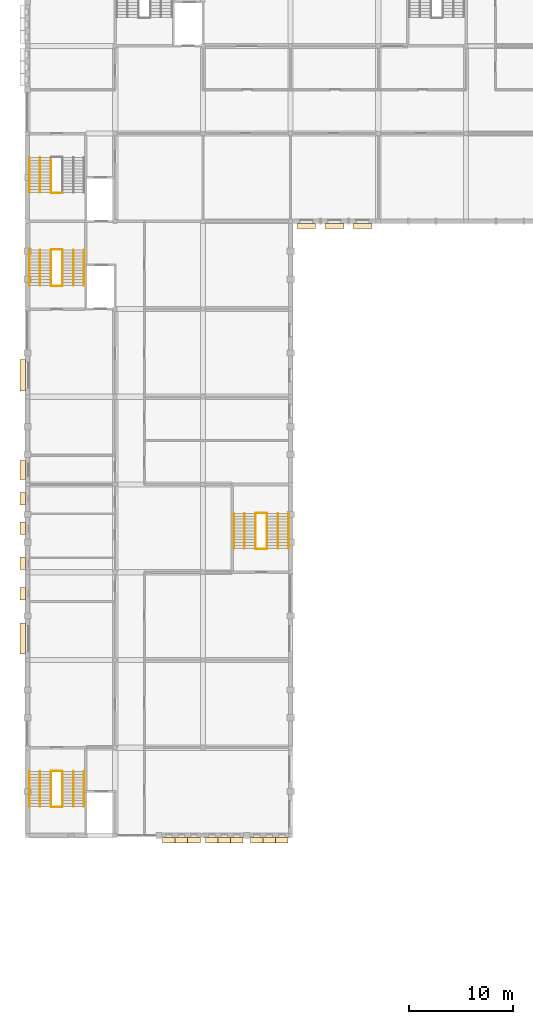
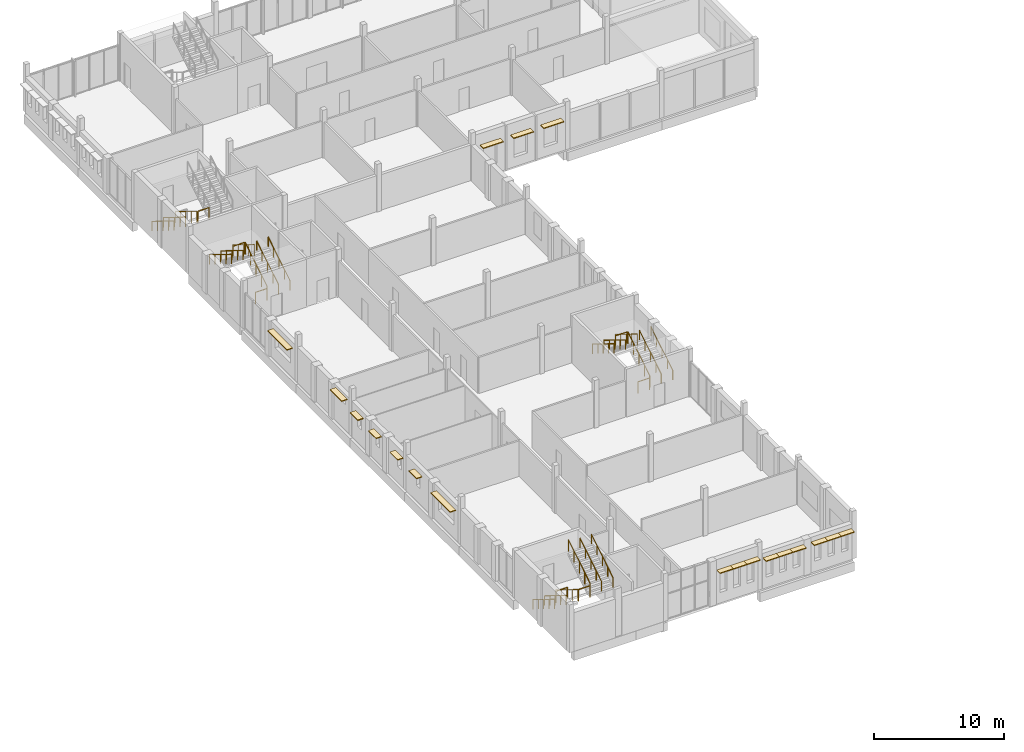
# One storey, part 21 of 22: 28 railings, 19 coverings.
"""IFC4 building model written with IfcOpenShell, lengths in metres."""

from ifc_helpers import new_model, si_unit, direction, frame, origin, origin_2d, place, context, subcontext, project, spatial, rectangle, circle, extrude, material, layer, layer_set, type_object, element, save


model = new_model("IFC4")

# Units and contexts
model_context = context("Model", 3, precision=1e-05, world=origin(), true_north=direction((0.0, 1.0)))
body_context = subcontext(model_context, "Body", "Model", "MODEL_VIEW")
ifc_project = project(units=[si_unit("LENGTHUNIT", "METRE"), si_unit("AREAUNIT", "SQUARE_METRE"), si_unit("VOLUMEUNIT", "CUBIC_METRE"), si_unit("PLANEANGLEUNIT", "RADIAN"), si_unit("MASSUNIT", "GRAM", prefix="KILO")], contexts=[model_context])

# Site, building, storey
site_placement = place(None, origin())
site = spatial("IfcSite", under=ifc_project, at=site_placement, CompositionType="ELEMENT")
building_placement = place(site_placement, origin())
building = spatial("IfcBuilding", under=site, at=building_placement, Name="Fescue Hill Polytechnic", CompositionType="ELEMENT")
storey_placement = place(building_placement, frame((0.0, 0.0, 27.0)))
storey = spatial("IfcBuildingStorey", under=building, at=storey_placement, Name="L06", CompositionType="ELEMENT", Elevation=27.0)

# Coverings
ifc_material_1 = material(Name="Precast concrete C40/50", Category="concrete")
ifc_layer = layer(ifc_material_1, 0.080078125)
ifc_layer_set = layer_set([ifc_layer], Name="Precast concrete C40/50")
covering_type = type_object("IfcCoveringType", Name="Shade blade precast 500x80", PredefinedType="CLADDING", material=ifc_layer_set)
covering_1_placement = place(storey_placement, frame((-0.43994140625, 94.449951171875, 2.75), z_axis=(0.0, 0.0, 1.0), x_axis=(0.0, -1.0, 0.0)))
element("IfcCovering", 1, at=covering_1_placement, inside=storey, type_object=covering_type, Name="SB-L06-V4-1", PredefinedType="CLADDING", context=body_context, shape_type="SweptSolid", body=[
    extrude(rectangle(XDim=3.0, YDim=0.5, at=origin_2d()), origin(), (0.0, 0.0, 1.0), 0.080078125),
])
covering_2_placement = place(storey_placement, frame((-0.43994140625, 85.38330078125, 3.050048828125), z_axis=(0.0, 0.0, 1.0), x_axis=(0.0, -1.0, 0.0)))
element("IfcCovering", 2, at=covering_2_placement, inside=storey, type_object=covering_type, Name="SB-L06-V4-2", PredefinedType="CLADDING", context=body_context, shape_type="SweptSolid", body=[
    extrude(rectangle(XDim=1.800048828125, YDim=0.5, at=origin_2d()), origin(), (0.0, 0.0, 1.0), 0.080078125),
])
for number, where, z_axis, x_axis, name in (
    (3, (-0.43994140625, 82.61669921875, 2.75), (0.0, 0.0, 1.0), (0.0, -1.0, 0.0), "SB-L06-V4-3"),
    (4, (-0.43994140625, 79.800048828125, 2.75), (0.0, 0.0, 1.0), (0.0, -1.0, 0.0), "SB-L06-V4-4"),
    (5, (-0.43994140625, 76.449951171875, 2.75), (0.0, 0.0, 1.0), (0.0, -1.0, 0.0), "SB-L06-V4-5"),
    (6, (-0.43994140625, 73.550048828125, 2.75), (0.0, 0.0, 1.0), (0.0, -1.0, 0.0), "SB-L06-V4-6"),
):
    element("IfcCovering", number, at=place(storey_placement, frame(where, z_axis=z_axis, x_axis=x_axis)), inside=storey, type_object=covering_type, Name=name, PredefinedType="CLADDING", context=body_context, shape_type="SweptSolid", body=[
        extrude(rectangle(XDim=1.199951171875, YDim=0.5, at=origin_2d()), origin(), (0.0, 0.0, 1.0), 0.080078125),
    ])
covering_3_placement = place(storey_placement, frame((-0.43994140625, 69.25, 2.75), z_axis=(0.0, 0.0, 1.0), x_axis=(0.0, -1.0, 0.0)))
element("IfcCovering", 7, at=covering_3_placement, inside=storey, type_object=covering_type, Name="SB-L06-V4-7", PredefinedType="CLADDING", context=body_context, shape_type="SweptSolid", body=[
    extrude(rectangle(XDim=3.0, YDim=0.5, at=origin_2d()), origin(), (0.0, 0.0, 1.0), 0.080078125),
])
for number, where, z_axis, x_axis, name in (
    (8, (13.550048828125, 49.93994140625, 3.14990234375), (0.0, 0.0, 1.0), (1.0, 0.0, 0.0), "SB-L06-V4-8"),
    (9, (14.75, 49.93994140625, 3.14990234375), (0.0, 0.0, 1.0), (1.0, 0.0, 0.0), "SB-L06-V4-9"),
    (10, (15.949951171875, 49.93994140625, 3.14990234375), (0.0, 0.0, 1.0), (1.0, 0.0, 0.0), "SB-L06-V4-10"),
    (11, (17.64990234375, 49.93994140625, 2.849853515625), (0.0, 0.0, 1.0), (1.0, 0.0, 0.0), "SB-L06-V4-11"),
    (12, (18.85009765625, 49.93994140625, 2.849853515625), (0.0, 0.0, 1.0), (1.0, 0.0, 0.0), "SB-L06-V4-12"),
    (13, (20.050048828125, 49.93994140625, 2.849853515625), (0.0, 0.0, 1.0), (1.0, 0.0, 0.0), "SB-L06-V4-13"),
    (14, (21.949951171875, 49.93994140625, 2.849853515625), (0.0, 0.0, 1.0), (1.0, 0.0, 0.0), "SB-L06-V4-14"),
    (15, (23.14990234375, 49.93994140625, 2.849853515625), (0.0, 0.0, 1.0), (1.0, 0.0, 0.0), "SB-L06-V4-15"),
    (16, (24.35009765625, 49.93994140625, 2.849853515625), (0.0, 0.0, 1.0), (1.0, 0.0, 0.0), "SB-L06-V4-16"),
):
    element("IfcCovering", number, at=place(storey_placement, frame(where, z_axis=z_axis, x_axis=x_axis)), inside=storey, type_object=covering_type, Name=name, PredefinedType="CLADDING", context=body_context, shape_type="SweptSolid", body=[
        extrude(rectangle(XDim=1.199951171875, YDim=0.5, at=origin_2d()), origin(), (0.0, 0.0, 1.0), 0.080078125),
    ])
for number, where, z_axis, x_axis, name in (
    (17, (26.703369140625, 108.75, 3.050048828125), (0.0, 0.0, 1.0), (1.0, 0.0, 0.0), "SB-L06-V5-10"),
    (18, (29.39990234375, 108.75, 3.050048828125), (0.0, 0.0, 1.0), (1.0, 0.0, 0.0), "SB-L06-V5-11"),
    (19, (32.0966796875, 108.75, 3.050048828125), (0.0, 0.0, 1.0), (1.0, 0.0, 0.0), "SB-L06-V5-12"),
):
    element("IfcCovering", number, at=place(storey_placement, frame(where, z_axis=z_axis, x_axis=x_axis)), inside=storey, type_object=covering_type, Name=name, PredefinedType="CLADDING", context=body_context, shape_type="SweptSolid", body=[
        extrude(rectangle(XDim=1.800048828125, YDim=0.5, at=origin_2d()), origin(), (0.0, 0.0, 1.0), 0.080078125),
    ])

# Railings
ifc_material_2 = material(Name="Steel 350W (350 MPa)", Category="steel")
railing_type_1 = type_object("IfcRailingType", Name="Stair guard steel 1100", PredefinedType="GUARDRAIL", material=ifc_material_2)
railing_1_placement = place(storey_placement, frame((2.25, 56.52490234375, 0.173095703125)))
element("IfcRailing", 20, at=railing_1_placement, inside=storey, type_object=railing_type_1, Name="L06 ST-V4-1 stair guard 1", PredefinedType="GUARDRAIL", context=body_context, shape_type="SweptSolid", body=[
    extrude(circle(Radius=0.02392578125, at=origin_2d()), frame((0.0, 0.0, 1.076171875), z_axis=(0.0, -0.850606129759, 0.525803396734), x_axis=(1.0, 0.0, 0.0)), (0.0, 0.0, 1.0), 3.949951171875),
    extrude(circle(Radius=0.02099609375, at=origin_2d()), origin(), (0.0, 0.0, 1.0), 1.052001953125),
    extrude(circle(Radius=0.02099609375, at=origin_2d()), frame((0.0, -0.83984375, 0.519287109375)), (0.0, 0.0, 1.0), 1.052001953125),
    extrude(circle(Radius=0.02099609375, at=origin_2d()), frame((0.0, -1.679931640625, 1.03857421875)), (0.0, 0.0, 1.0), 1.052001953125),
    extrude(circle(Radius=0.02099609375, at=origin_2d()), frame((0.0, -2.52001953125, 1.5576171875)), (0.0, 0.0, 1.0), 1.052001953125),
    extrude(circle(Radius=0.02099609375, at=origin_2d()), frame((0.0, -3.35986328125, 2.076904296875)), (0.0, 0.0, 1.0), 1.052001953125),
])
railing_2_placement = place(storey_placement, frame((2.300048828125, 53.114990234375, 2.25)))
element("IfcRailing", 21, at=railing_2_placement, inside=storey, type_object=railing_type_1, Name="L06 ST-V4-1 stair guard 2", PredefinedType="GUARDRAIL", context=body_context, shape_type="SweptSolid", body=[
    extrude(circle(Radius=0.02392578125, at=origin_2d()), frame((0.0, 0.0, 1.076171875), z_axis=(1.0, 0.0, 0.0), x_axis=(0.0, 1.0, 0.0)), (0.0, 0.0, 1.0), 1.02490234375),
    extrude(circle(Radius=0.02099609375, at=origin_2d()), origin(), (0.0, 0.0, 1.0), 1.052001953125),
    extrude(circle(Radius=0.02099609375, at=origin_2d()), frame((1.02490234375, 0.0, 0.0)), (0.0, 0.0, 1.0), 1.052001953125),
])
railing_3_placement = place(storey_placement, frame((3.375, 53.1650390625, 2.423095703125)))
element("IfcRailing", 22, at=railing_3_placement, inside=storey, type_object=railing_type_1, Name="L06 ST-V4-1 stair guard 3", PredefinedType="GUARDRAIL", context=body_context, shape_type="SweptSolid", body=[
    extrude(circle(Radius=0.02392578125, at=origin_2d()), frame((0.0, 0.0, 1.076171875), z_axis=(0.0, 0.850606129759, 0.525803396734), x_axis=(-1.0, 0.0, 0.0)), (0.0, 0.0, 1.0), 3.949951171875),
    extrude(circle(Radius=0.02099609375, at=origin_2d()), origin(), (0.0, 0.0, 1.0), 1.052001953125),
    extrude(circle(Radius=0.02099609375, at=origin_2d()), frame((0.0, 0.83984375, 0.519287109375)), (0.0, 0.0, 1.0), 1.052001953125),
    extrude(circle(Radius=0.02099609375, at=origin_2d()), frame((0.0, 1.679931640625, 1.03857421875)), (0.0, 0.0, 1.0), 1.052001953125),
    extrude(circle(Radius=0.02099609375, at=origin_2d()), frame((0.0, 2.52001953125, 1.5576171875)), (0.0, 0.0, 1.0), 1.052001953125),
    extrude(circle(Radius=0.02099609375, at=origin_2d()), frame((0.0, 3.35986328125, 2.076904296875)), (0.0, 0.0, 1.0), 1.052001953125),
])
railing_4_placement = place(storey_placement, frame((2.300048828125, 56.574951171875, 0.0)))
element("IfcRailing", 23, at=railing_4_placement, inside=storey, type_object=railing_type_1, Name="L06 ST-V4-1 stair guard 4", PredefinedType="GUARDRAIL", context=body_context, shape_type="SweptSolid", body=[
    extrude(circle(Radius=0.02392578125, at=origin_2d()), frame((0.0, 0.0, 1.076171875), z_axis=(1.0, 0.0, 0.0), x_axis=(0.0, 1.0, 0.0)), (0.0, 0.0, 1.0), 1.02490234375),
    extrude(circle(Radius=0.02099609375, at=origin_2d()), origin(), (0.0, 0.0, 1.0), 1.052001953125),
    extrude(circle(Radius=0.02099609375, at=origin_2d()), frame((1.02490234375, 0.0, 0.0)), (0.0, 0.0, 1.0), 1.052001953125),
])
railing_5_placement = place(storey_placement, frame((3.375, 103.074951171875, 0.173095703125)))
element("IfcRailing", 24, at=railing_5_placement, inside=storey, type_object=railing_type_1, Name="L06 ST-V4-2 stair guard 1", PredefinedType="GUARDRAIL", context=body_context, shape_type="SweptSolid", body=[
    extrude(circle(Radius=0.02392578125, at=origin_2d()), frame((0.0, 0.0, 1.076171875), z_axis=(0.0, 0.850623216509, 0.525775754039), x_axis=(-1.0, 0.0, 0.0)), (0.0, 0.0, 1.0), 3.9501953125),
    extrude(circle(Radius=0.02099609375, at=origin_2d()), origin(), (0.0, 0.0, 1.0), 1.052001953125),
    extrude(circle(Radius=0.02099609375, at=origin_2d()), frame((0.0, 0.840087890625, 0.519287109375)), (0.0, 0.0, 1.0), 1.052001953125),
    extrude(circle(Radius=0.02099609375, at=origin_2d()), frame((0.0, 1.68017578125, 1.03857421875)), (0.0, 0.0, 1.0), 1.052001953125),
    extrude(circle(Radius=0.02099609375, at=origin_2d()), frame((0.0, 2.52001953125, 1.5576171875)), (0.0, 0.0, 1.0), 1.052001953125),
    extrude(circle(Radius=0.02099609375, at=origin_2d()), frame((0.0, 3.360107421875, 2.076904296875)), (0.0, 0.0, 1.0), 1.052001953125),
])
railing_6_placement = place(storey_placement, frame((3.324951171875, 106.485107421875, 2.25)))
element("IfcRailing", 25, at=railing_6_placement, inside=storey, type_object=railing_type_1, Name="L06 ST-V4-2 stair guard 2", PredefinedType="GUARDRAIL", context=body_context, shape_type="SweptSolid", body=[
    extrude(circle(Radius=0.02392578125, at=origin_2d()), frame((0.0, 0.0, 1.076171875), z_axis=(-1.0, 0.0, 0.0), x_axis=(0.0, -1.0, 0.0)), (0.0, 0.0, 1.0), 1.02490234375),
    extrude(circle(Radius=0.02099609375, at=origin_2d()), origin(), (0.0, 0.0, 1.0), 1.052001953125),
    extrude(circle(Radius=0.02099609375, at=origin_2d()), frame((-1.02490234375, 0.0, 0.0)), (0.0, 0.0, 1.0), 1.052001953125),
])
railing_7_placement = place(storey_placement, frame((2.25, 106.43505859375, 2.423095703125)))
element("IfcRailing", 26, at=railing_7_placement, inside=storey, type_object=railing_type_1, Name="L06 ST-V4-2 stair guard 3", PredefinedType="GUARDRAIL", context=body_context, shape_type="SweptSolid", body=[
    extrude(circle(Radius=0.02392578125, at=origin_2d()), frame((0.0, 0.0, 1.076171875), z_axis=(0.0, -0.850623216509, 0.525775754039), x_axis=(1.0, 0.0, 0.0)), (0.0, 0.0, 1.0), 3.9501953125),
    extrude(circle(Radius=0.02099609375, at=origin_2d()), origin(), (0.0, 0.0, 1.0), 1.052001953125),
    extrude(circle(Radius=0.02099609375, at=origin_2d()), frame((0.0, -0.840087890625, 0.519287109375)), (0.0, 0.0, 1.0), 1.052001953125),
    extrude(circle(Radius=0.02099609375, at=origin_2d()), frame((0.0, -1.68017578125, 1.03857421875)), (0.0, 0.0, 1.0), 1.052001953125),
    extrude(circle(Radius=0.02099609375, at=origin_2d()), frame((0.0, -2.52001953125, 1.5576171875)), (0.0, 0.0, 1.0), 1.052001953125),
    extrude(circle(Radius=0.02099609375, at=origin_2d()), frame((0.0, -3.360107421875, 2.076904296875)), (0.0, 0.0, 1.0), 1.052001953125),
])
railing_8_placement = place(storey_placement, frame((3.324951171875, 103.02490234375, 0.0)))
element("IfcRailing", 27, at=railing_8_placement, inside=storey, type_object=railing_type_1, Name="L06 ST-V4-2 stair guard 4", PredefinedType="GUARDRAIL", context=body_context, shape_type="SweptSolid", body=[
    extrude(circle(Radius=0.02392578125, at=origin_2d()), frame((0.0, 0.0, 1.076171875), z_axis=(-1.0, 0.0, 0.0), x_axis=(0.0, -1.0, 0.0)), (0.0, 0.0, 1.0), 1.02490234375),
    extrude(circle(Radius=0.02099609375, at=origin_2d()), origin(), (0.0, 0.0, 1.0), 1.052001953125),
    extrude(circle(Radius=0.02099609375, at=origin_2d()), frame((-1.02490234375, 0.0, 0.0)), (0.0, 0.0, 1.0), 1.052001953125),
])
railing_9_placement = place(storey_placement, frame((22.949951171875, 77.875, 0.173095703125)))
element("IfcRailing", 28, at=railing_9_placement, inside=storey, type_object=railing_type_1, Name="L06 ST-V4-3 stair guard 1", PredefinedType="GUARDRAIL", context=body_context, shape_type="SweptSolid", body=[
    extrude(circle(Radius=0.02392578125, at=origin_2d()), frame((0.0, 0.0, 1.076171875), z_axis=(0.0, 0.850623216509, 0.525775754039), x_axis=(-1.0, 0.0, 0.0)), (0.0, 0.0, 1.0), 3.9501953125),
    extrude(circle(Radius=0.02099609375, at=origin_2d()), origin(), (0.0, 0.0, 1.0), 1.052001953125),
    extrude(circle(Radius=0.02099609375, at=origin_2d()), frame((0.0, 0.840087890625, 0.519287109375)), (0.0, 0.0, 1.0), 1.052001953125),
    extrude(circle(Radius=0.02099609375, at=origin_2d()), frame((0.0, 1.68017578125, 1.03857421875)), (0.0, 0.0, 1.0), 1.052001953125),
    extrude(circle(Radius=0.02099609375, at=origin_2d()), frame((0.0, 2.52001953125, 1.5576171875)), (0.0, 0.0, 1.0), 1.052001953125),
    extrude(circle(Radius=0.02099609375, at=origin_2d()), frame((0.0, 3.360107421875, 2.076904296875)), (0.0, 0.0, 1.0), 1.052001953125),
])
railing_10_placement = place(storey_placement, frame((22.89990234375, 81.284912109375, 2.25)))
element("IfcRailing", 29, at=railing_10_placement, inside=storey, type_object=railing_type_1, Name="L06 ST-V4-3 stair guard 2", PredefinedType="GUARDRAIL", context=body_context, shape_type="SweptSolid", body=[
    extrude(circle(Radius=0.02392578125, at=origin_2d()), frame((0.0, 0.0, 1.076171875), z_axis=(-1.0, 0.0, 0.0), x_axis=(0.0, -1.0, 0.0)), (0.0, 0.0, 1.0), 1.02490234375),
    extrude(circle(Radius=0.02099609375, at=origin_2d()), origin(), (0.0, 0.0, 1.0), 1.052001953125),
    extrude(circle(Radius=0.02099609375, at=origin_2d()), frame((-1.02490234375, 0.0, 0.0)), (0.0, 0.0, 1.0), 1.052001953125),
])
railing_11_placement = place(storey_placement, frame((21.824951171875, 81.235107421875, 2.423095703125)))
element("IfcRailing", 30, at=railing_11_placement, inside=storey, type_object=railing_type_1, Name="L06 ST-V4-3 stair guard 3", PredefinedType="GUARDRAIL", context=body_context, shape_type="SweptSolid", body=[
    extrude(circle(Radius=0.02392578125, at=origin_2d()), frame((0.0, 0.0, 1.076171875), z_axis=(0.0, -0.850623216509, 0.525775754039), x_axis=(1.0, 0.0, 0.0)), (0.0, 0.0, 1.0), 3.9501953125),
    extrude(circle(Radius=0.02099609375, at=origin_2d()), origin(), (0.0, 0.0, 1.0), 1.052001953125),
    extrude(circle(Radius=0.02099609375, at=origin_2d()), frame((0.0, -0.840087890625, 0.519287109375)), (0.0, 0.0, 1.0), 1.052001953125),
    extrude(circle(Radius=0.02099609375, at=origin_2d()), frame((0.0, -1.68017578125, 1.03857421875)), (0.0, 0.0, 1.0), 1.052001953125),
    extrude(circle(Radius=0.02099609375, at=origin_2d()), frame((0.0, -2.52001953125, 1.5576171875)), (0.0, 0.0, 1.0), 1.052001953125),
    extrude(circle(Radius=0.02099609375, at=origin_2d()), frame((0.0, -3.360107421875, 2.076904296875)), (0.0, 0.0, 1.0), 1.052001953125),
])
railing_12_placement = place(storey_placement, frame((22.89990234375, 77.824951171875, 0.0)))
element("IfcRailing", 31, at=railing_12_placement, inside=storey, type_object=railing_type_1, Name="L06 ST-V4-3 stair guard 4", PredefinedType="GUARDRAIL", context=body_context, shape_type="SweptSolid", body=[
    extrude(circle(Radius=0.02392578125, at=origin_2d()), frame((0.0, 0.0, 1.076171875), z_axis=(-1.0, 0.0, 0.0), x_axis=(0.0, -1.0, 0.0)), (0.0, 0.0, 1.0), 1.02490234375),
    extrude(circle(Radius=0.02099609375, at=origin_2d()), origin(), (0.0, 0.0, 1.0), 1.052001953125),
    extrude(circle(Radius=0.02099609375, at=origin_2d()), frame((-1.02490234375, 0.0, 0.0)), (0.0, 0.0, 1.0), 1.052001953125),
])
railing_13_placement = place(storey_placement, frame((2.25, 115.324951171875, 0.173095703125)))
element("IfcRailing", 32, at=railing_13_placement, inside=storey, type_object=railing_type_1, Name="L06 ST-V5-1 stair guard 1", PredefinedType="GUARDRAIL", context=body_context, shape_type="SweptSolid", body=[
    extrude(circle(Radius=0.02392578125, at=origin_2d()), frame((0.0, 0.0, 1.076171875), z_axis=(0.0, -0.850606129759, 0.525803396734), x_axis=(1.0, 0.0, 0.0)), (0.0, 0.0, 1.0), 3.949951171875),
    extrude(circle(Radius=0.02099609375, at=origin_2d()), origin(), (0.0, 0.0, 1.0), 1.052001953125),
    extrude(circle(Radius=0.02099609375, at=origin_2d()), frame((0.0, -0.83984375, 0.519287109375)), (0.0, 0.0, 1.0), 1.052001953125),
    extrude(circle(Radius=0.02099609375, at=origin_2d()), frame((0.0, -1.679931640625, 1.03857421875)), (0.0, 0.0, 1.0), 1.052001953125),
    extrude(circle(Radius=0.02099609375, at=origin_2d()), frame((0.0, -2.52001953125, 1.5576171875)), (0.0, 0.0, 1.0), 1.052001953125),
    extrude(circle(Radius=0.02099609375, at=origin_2d()), frame((0.0, -3.35986328125, 2.076904296875)), (0.0, 0.0, 1.0), 1.052001953125),
])
railing_14_placement = place(storey_placement, frame((2.300048828125, 111.9150390625, 2.25)))
element("IfcRailing", 33, at=railing_14_placement, inside=storey, type_object=railing_type_1, Name="L06 ST-V5-1 stair guard 2", PredefinedType="GUARDRAIL", context=body_context, shape_type="SweptSolid", body=[
    extrude(circle(Radius=0.02392578125, at=origin_2d()), frame((0.0, 0.0, 1.076171875), z_axis=(1.0, 0.0, 0.0), x_axis=(0.0, 1.0, 0.0)), (0.0, 0.0, 1.0), 1.02490234375),
    extrude(circle(Radius=0.02099609375, at=origin_2d()), origin(), (0.0, 0.0, 1.0), 1.052001953125),
    extrude(circle(Radius=0.02099609375, at=origin_2d()), frame((1.02490234375, 0.0, 0.0)), (0.0, 0.0, 1.0), 1.052001953125),
])
railing_type_2 = type_object("IfcRailingType", Name="Stair handrail steel 900", PredefinedType="HANDRAIL", material=ifc_material_2)
railing_15_placement = place(storey_placement, frame((0.199951171875, 56.52490234375, 0.173095703125)))
element("IfcRailing", 34, at=railing_15_placement, inside=storey, type_object=railing_type_2, Name="L06 ST-V4-1 stair handrail 1", PredefinedType="HANDRAIL", context=body_context, shape_type="SweptSolid", body=[
    extrude(circle(Radius=0.02392578125, at=origin_2d()), frame((0.0, 0.0, 0.8759765625), z_axis=(0.0, -0.850606129759, 0.525803396734), x_axis=(1.0, 0.0, 0.0)), (0.0, 0.0, 1.0), 3.949951171875),
    extrude(circle(Radius=0.02099609375, at=origin_2d()), origin(), (0.0, 0.0, 1.0), 0.851806640625),
    extrude(circle(Radius=0.02099609375, at=origin_2d()), frame((0.0, -0.83984375, 0.519287109375)), (0.0, 0.0, 1.0), 0.851806640625),
    extrude(circle(Radius=0.02099609375, at=origin_2d()), frame((0.0, -1.679931640625, 1.03857421875)), (0.0, 0.0, 1.0), 0.851806640625),
    extrude(circle(Radius=0.02099609375, at=origin_2d()), frame((0.0, -2.52001953125, 1.5576171875)), (0.0, 0.0, 1.0), 0.851806640625),
    extrude(circle(Radius=0.02099609375, at=origin_2d()), frame((0.0, -3.35986328125, 2.076904296875)), (0.0, 0.0, 1.0), 0.851806640625),
])
railing_16_placement = place(storey_placement, frame((5.425048828125, 53.1650390625, 2.423095703125)))
element("IfcRailing", 35, at=railing_16_placement, inside=storey, type_object=railing_type_2, Name="L06 ST-V4-1 stair handrail 2", PredefinedType="HANDRAIL", context=body_context, shape_type="SweptSolid", body=[
    extrude(circle(Radius=0.02392578125, at=origin_2d()), frame((0.0, 0.0, 0.8759765625), z_axis=(0.0, 0.850606129759, 0.525803396734), x_axis=(-1.0, 0.0, 0.0)), (0.0, 0.0, 1.0), 3.949951171875),
    extrude(circle(Radius=0.02099609375, at=origin_2d()), origin(), (0.0, 0.0, 1.0), 0.851806640625),
    extrude(circle(Radius=0.02099609375, at=origin_2d()), frame((0.0, 0.83984375, 0.519287109375)), (0.0, 0.0, 1.0), 0.851806640625),
    extrude(circle(Radius=0.02099609375, at=origin_2d()), frame((0.0, 1.679931640625, 1.03857421875)), (0.0, 0.0, 1.0), 0.851806640625),
    extrude(circle(Radius=0.02099609375, at=origin_2d()), frame((0.0, 2.52001953125, 1.5576171875)), (0.0, 0.0, 1.0), 0.851806640625),
    extrude(circle(Radius=0.02099609375, at=origin_2d()), frame((0.0, 3.35986328125, 2.076904296875)), (0.0, 0.0, 1.0), 0.851806640625),
])
railing_17_placement = place(storey_placement, frame((1.22509765625, 56.52490234375, 0.173095703125)))
element("IfcRailing", 36, at=railing_17_placement, inside=storey, type_object=railing_type_2, Name="L06 ST-V4-1 stair handrail 3", PredefinedType="HANDRAIL", context=body_context, shape_type="SweptSolid", body=[
    extrude(circle(Radius=0.02392578125, at=origin_2d()), frame((0.0, 0.0, 0.8759765625), z_axis=(0.0, -0.850606129759, 0.525803396734), x_axis=(1.0, 0.0, 0.0)), (0.0, 0.0, 1.0), 3.949951171875),
    extrude(circle(Radius=0.02099609375, at=origin_2d()), origin(), (0.0, 0.0, 1.0), 0.851806640625),
    extrude(circle(Radius=0.02099609375, at=origin_2d()), frame((0.0, -0.83984375, 0.519287109375)), (0.0, 0.0, 1.0), 0.851806640625),
    extrude(circle(Radius=0.02099609375, at=origin_2d()), frame((0.0, -1.679931640625, 1.03857421875)), (0.0, 0.0, 1.0), 0.851806640625),
    extrude(circle(Radius=0.02099609375, at=origin_2d()), frame((0.0, -2.52001953125, 1.5576171875)), (0.0, 0.0, 1.0), 0.851806640625),
    extrude(circle(Radius=0.02099609375, at=origin_2d()), frame((0.0, -3.35986328125, 2.076904296875)), (0.0, 0.0, 1.0), 0.851806640625),
])
railing_18_placement = place(storey_placement, frame((4.39990234375, 53.1650390625, 2.423095703125)))
element("IfcRailing", 37, at=railing_18_placement, inside=storey, type_object=railing_type_2, Name="L06 ST-V4-1 stair handrail 4", PredefinedType="HANDRAIL", context=body_context, shape_type="SweptSolid", body=[
    extrude(circle(Radius=0.02392578125, at=origin_2d()), frame((0.0, 0.0, 0.8759765625), z_axis=(0.0, 0.850606129759, 0.525803396734), x_axis=(-1.0, 0.0, 0.0)), (0.0, 0.0, 1.0), 3.949951171875),
    extrude(circle(Radius=0.02099609375, at=origin_2d()), origin(), (0.0, 0.0, 1.0), 0.851806640625),
    extrude(circle(Radius=0.02099609375, at=origin_2d()), frame((0.0, 0.83984375, 0.519287109375)), (0.0, 0.0, 1.0), 0.851806640625),
    extrude(circle(Radius=0.02099609375, at=origin_2d()), frame((0.0, 1.679931640625, 1.03857421875)), (0.0, 0.0, 1.0), 0.851806640625),
    extrude(circle(Radius=0.02099609375, at=origin_2d()), frame((0.0, 2.52001953125, 1.5576171875)), (0.0, 0.0, 1.0), 0.851806640625),
    extrude(circle(Radius=0.02099609375, at=origin_2d()), frame((0.0, 3.35986328125, 2.076904296875)), (0.0, 0.0, 1.0), 0.851806640625),
])
railing_19_placement = place(storey_placement, frame((5.425048828125, 103.074951171875, 0.173095703125)))
element("IfcRailing", 38, at=railing_19_placement, inside=storey, type_object=railing_type_2, Name="L06 ST-V4-2 stair handrail 1", PredefinedType="HANDRAIL", context=body_context, shape_type="SweptSolid", body=[
    extrude(circle(Radius=0.02392578125, at=origin_2d()), frame((0.0, 0.0, 0.8759765625), z_axis=(0.0, 0.850623216509, 0.525775754039), x_axis=(-1.0, 0.0, 0.0)), (0.0, 0.0, 1.0), 3.9501953125),
    extrude(circle(Radius=0.02099609375, at=origin_2d()), origin(), (0.0, 0.0, 1.0), 0.851806640625),
    extrude(circle(Radius=0.02099609375, at=origin_2d()), frame((0.0, 0.840087890625, 0.519287109375)), (0.0, 0.0, 1.0), 0.851806640625),
    extrude(circle(Radius=0.02099609375, at=origin_2d()), frame((0.0, 1.68017578125, 1.03857421875)), (0.0, 0.0, 1.0), 0.851806640625),
    extrude(circle(Radius=0.02099609375, at=origin_2d()), frame((0.0, 2.52001953125, 1.5576171875)), (0.0, 0.0, 1.0), 0.851806640625),
    extrude(circle(Radius=0.02099609375, at=origin_2d()), frame((0.0, 3.360107421875, 2.076904296875)), (0.0, 0.0, 1.0), 0.851806640625),
])
railing_20_placement = place(storey_placement, frame((0.199951171875, 106.43505859375, 2.423095703125)))
element("IfcRailing", 39, at=railing_20_placement, inside=storey, type_object=railing_type_2, Name="L06 ST-V4-2 stair handrail 2", PredefinedType="HANDRAIL", context=body_context, shape_type="SweptSolid", body=[
    extrude(circle(Radius=0.02392578125, at=origin_2d()), frame((0.0, 0.0, 0.8759765625), z_axis=(0.0, -0.850623216509, 0.525775754039), x_axis=(1.0, 0.0, 0.0)), (0.0, 0.0, 1.0), 3.9501953125),
    extrude(circle(Radius=0.02099609375, at=origin_2d()), origin(), (0.0, 0.0, 1.0), 0.851806640625),
    extrude(circle(Radius=0.02099609375, at=origin_2d()), frame((0.0, -0.840087890625, 0.519287109375)), (0.0, 0.0, 1.0), 0.851806640625),
    extrude(circle(Radius=0.02099609375, at=origin_2d()), frame((0.0, -1.68017578125, 1.03857421875)), (0.0, 0.0, 1.0), 0.851806640625),
    extrude(circle(Radius=0.02099609375, at=origin_2d()), frame((0.0, -2.52001953125, 1.5576171875)), (0.0, 0.0, 1.0), 0.851806640625),
    extrude(circle(Radius=0.02099609375, at=origin_2d()), frame((0.0, -3.360107421875, 2.076904296875)), (0.0, 0.0, 1.0), 0.851806640625),
])
railing_21_placement = place(storey_placement, frame((4.39990234375, 103.074951171875, 0.173095703125)))
element("IfcRailing", 40, at=railing_21_placement, inside=storey, type_object=railing_type_2, Name="L06 ST-V4-2 stair handrail 3", PredefinedType="HANDRAIL", context=body_context, shape_type="SweptSolid", body=[
    extrude(circle(Radius=0.02392578125, at=origin_2d()), frame((0.0, 0.0, 0.8759765625), z_axis=(0.0, 0.850623216509, 0.525775754039), x_axis=(-1.0, 0.0, 0.0)), (0.0, 0.0, 1.0), 3.9501953125),
    extrude(circle(Radius=0.02099609375, at=origin_2d()), origin(), (0.0, 0.0, 1.0), 0.851806640625),
    extrude(circle(Radius=0.02099609375, at=origin_2d()), frame((0.0, 0.840087890625, 0.519287109375)), (0.0, 0.0, 1.0), 0.851806640625),
    extrude(circle(Radius=0.02099609375, at=origin_2d()), frame((0.0, 1.68017578125, 1.03857421875)), (0.0, 0.0, 1.0), 0.851806640625),
    extrude(circle(Radius=0.02099609375, at=origin_2d()), frame((0.0, 2.52001953125, 1.5576171875)), (0.0, 0.0, 1.0), 0.851806640625),
    extrude(circle(Radius=0.02099609375, at=origin_2d()), frame((0.0, 3.360107421875, 2.076904296875)), (0.0, 0.0, 1.0), 0.851806640625),
])
railing_22_placement = place(storey_placement, frame((1.22509765625, 106.43505859375, 2.423095703125)))
element("IfcRailing", 41, at=railing_22_placement, inside=storey, type_object=railing_type_2, Name="L06 ST-V4-2 stair handrail 4", PredefinedType="HANDRAIL", context=body_context, shape_type="SweptSolid", body=[
    extrude(circle(Radius=0.02392578125, at=origin_2d()), frame((0.0, 0.0, 0.8759765625), z_axis=(0.0, -0.850623216509, 0.525775754039), x_axis=(1.0, 0.0, 0.0)), (0.0, 0.0, 1.0), 3.9501953125),
    extrude(circle(Radius=0.02099609375, at=origin_2d()), origin(), (0.0, 0.0, 1.0), 0.851806640625),
    extrude(circle(Radius=0.02099609375, at=origin_2d()), frame((0.0, -0.840087890625, 0.519287109375)), (0.0, 0.0, 1.0), 0.851806640625),
    extrude(circle(Radius=0.02099609375, at=origin_2d()), frame((0.0, -1.68017578125, 1.03857421875)), (0.0, 0.0, 1.0), 0.851806640625),
    extrude(circle(Radius=0.02099609375, at=origin_2d()), frame((0.0, -2.52001953125, 1.5576171875)), (0.0, 0.0, 1.0), 0.851806640625),
    extrude(circle(Radius=0.02099609375, at=origin_2d()), frame((0.0, -3.360107421875, 2.076904296875)), (0.0, 0.0, 1.0), 0.851806640625),
])
railing_23_placement = place(storey_placement, frame((25.0, 77.875, 0.173095703125)))
element("IfcRailing", 42, at=railing_23_placement, inside=storey, type_object=railing_type_2, Name="L06 ST-V4-3 stair handrail 1", PredefinedType="HANDRAIL", context=body_context, shape_type="SweptSolid", body=[
    extrude(circle(Radius=0.02392578125, at=origin_2d()), frame((0.0, 0.0, 0.8759765625), z_axis=(0.0, 0.850623216509, 0.525775754039), x_axis=(-1.0, 0.0, 0.0)), (0.0, 0.0, 1.0), 3.9501953125),
    extrude(circle(Radius=0.02099609375, at=origin_2d()), origin(), (0.0, 0.0, 1.0), 0.851806640625),
    extrude(circle(Radius=0.02099609375, at=origin_2d()), frame((0.0, 0.840087890625, 0.519287109375)), (0.0, 0.0, 1.0), 0.851806640625),
    extrude(circle(Radius=0.02099609375, at=origin_2d()), frame((0.0, 1.68017578125, 1.03857421875)), (0.0, 0.0, 1.0), 0.851806640625),
    extrude(circle(Radius=0.02099609375, at=origin_2d()), frame((0.0, 2.52001953125, 1.5576171875)), (0.0, 0.0, 1.0), 0.851806640625),
    extrude(circle(Radius=0.02099609375, at=origin_2d()), frame((0.0, 3.360107421875, 2.076904296875)), (0.0, 0.0, 1.0), 0.851806640625),
])
railing_24_placement = place(storey_placement, frame((19.77490234375, 81.235107421875, 2.423095703125)))
element("IfcRailing", 43, at=railing_24_placement, inside=storey, type_object=railing_type_2, Name="L06 ST-V4-3 stair handrail 2", PredefinedType="HANDRAIL", context=body_context, shape_type="SweptSolid", body=[
    extrude(circle(Radius=0.02392578125, at=origin_2d()), frame((0.0, 0.0, 0.8759765625), z_axis=(0.0, -0.850623216509, 0.525775754039), x_axis=(1.0, 0.0, 0.0)), (0.0, 0.0, 1.0), 3.9501953125),
    extrude(circle(Radius=0.02099609375, at=origin_2d()), origin(), (0.0, 0.0, 1.0), 0.851806640625),
    extrude(circle(Radius=0.02099609375, at=origin_2d()), frame((0.0, -0.840087890625, 0.519287109375)), (0.0, 0.0, 1.0), 0.851806640625),
    extrude(circle(Radius=0.02099609375, at=origin_2d()), frame((0.0, -1.68017578125, 1.03857421875)), (0.0, 0.0, 1.0), 0.851806640625),
    extrude(circle(Radius=0.02099609375, at=origin_2d()), frame((0.0, -2.52001953125, 1.5576171875)), (0.0, 0.0, 1.0), 0.851806640625),
    extrude(circle(Radius=0.02099609375, at=origin_2d()), frame((0.0, -3.360107421875, 2.076904296875)), (0.0, 0.0, 1.0), 0.851806640625),
])
railing_25_placement = place(storey_placement, frame((23.97509765625, 77.875, 0.173095703125)))
element("IfcRailing", 44, at=railing_25_placement, inside=storey, type_object=railing_type_2, Name="L06 ST-V4-3 stair handrail 3", PredefinedType="HANDRAIL", context=body_context, shape_type="SweptSolid", body=[
    extrude(circle(Radius=0.02392578125, at=origin_2d()), frame((0.0, 0.0, 0.8759765625), z_axis=(0.0, 0.850623216509, 0.525775754039), x_axis=(-1.0, 0.0, 0.0)), (0.0, 0.0, 1.0), 3.9501953125),
    extrude(circle(Radius=0.02099609375, at=origin_2d()), origin(), (0.0, 0.0, 1.0), 0.851806640625),
    extrude(circle(Radius=0.02099609375, at=origin_2d()), frame((0.0, 0.840087890625, 0.519287109375)), (0.0, 0.0, 1.0), 0.851806640625),
    extrude(circle(Radius=0.02099609375, at=origin_2d()), frame((0.0, 1.68017578125, 1.03857421875)), (0.0, 0.0, 1.0), 0.851806640625),
    extrude(circle(Radius=0.02099609375, at=origin_2d()), frame((0.0, 2.52001953125, 1.5576171875)), (0.0, 0.0, 1.0), 0.851806640625),
    extrude(circle(Radius=0.02099609375, at=origin_2d()), frame((0.0, 3.360107421875, 2.076904296875)), (0.0, 0.0, 1.0), 0.851806640625),
])
railing_26_placement = place(storey_placement, frame((20.800048828125, 81.235107421875, 2.423095703125)))
element("IfcRailing", 45, at=railing_26_placement, inside=storey, type_object=railing_type_2, Name="L06 ST-V4-3 stair handrail 4", PredefinedType="HANDRAIL", context=body_context, shape_type="SweptSolid", body=[
    extrude(circle(Radius=0.02392578125, at=origin_2d()), frame((0.0, 0.0, 0.8759765625), z_axis=(0.0, -0.850623216509, 0.525775754039), x_axis=(1.0, 0.0, 0.0)), (0.0, 0.0, 1.0), 3.9501953125),
    extrude(circle(Radius=0.02099609375, at=origin_2d()), origin(), (0.0, 0.0, 1.0), 0.851806640625),
    extrude(circle(Radius=0.02099609375, at=origin_2d()), frame((0.0, -0.840087890625, 0.519287109375)), (0.0, 0.0, 1.0), 0.851806640625),
    extrude(circle(Radius=0.02099609375, at=origin_2d()), frame((0.0, -1.68017578125, 1.03857421875)), (0.0, 0.0, 1.0), 0.851806640625),
    extrude(circle(Radius=0.02099609375, at=origin_2d()), frame((0.0, -2.52001953125, 1.5576171875)), (0.0, 0.0, 1.0), 0.851806640625),
    extrude(circle(Radius=0.02099609375, at=origin_2d()), frame((0.0, -3.360107421875, 2.076904296875)), (0.0, 0.0, 1.0), 0.851806640625),
])
for number, where, name in (
    (46, (0.199951171875, 115.324951171875, 0.173095703125), "L06 ST-V5-1 stair handrail 1"),
    (47, (1.22509765625, 115.324951171875, 0.173095703125), "L06 ST-V5-1 stair handrail 3"),
):
    element("IfcRailing", number, at=place(storey_placement, frame(where)), inside=storey, type_object=railing_type_2, Name=name, PredefinedType="HANDRAIL", context=body_context, shape_type="SweptSolid", body=[
        extrude(circle(Radius=0.02392578125, at=origin_2d()), frame((0.0, 0.0, 0.8759765625), z_axis=(0.0, -0.850606129759, 0.525803396734), x_axis=(1.0, 0.0, 0.0)), (0.0, 0.0, 1.0), 3.949951171875),
        extrude(circle(Radius=0.02099609375, at=origin_2d()), origin(), (0.0, 0.0, 1.0), 0.851806640625),
        extrude(circle(Radius=0.02099609375, at=origin_2d()), frame((0.0, -0.83984375, 0.519287109375)), (0.0, 0.0, 1.0), 0.851806640625),
        extrude(circle(Radius=0.02099609375, at=origin_2d()), frame((0.0, -1.679931640625, 1.03857421875)), (0.0, 0.0, 1.0), 0.851806640625),
        extrude(circle(Radius=0.02099609375, at=origin_2d()), frame((0.0, -2.52001953125, 1.5576171875)), (0.0, 0.0, 1.0), 0.851806640625),
        extrude(circle(Radius=0.02099609375, at=origin_2d()), frame((0.0, -3.35986328125, 2.076904296875)), (0.0, 0.0, 1.0), 0.851806640625),
    ])

save(model, "model.ifc")
